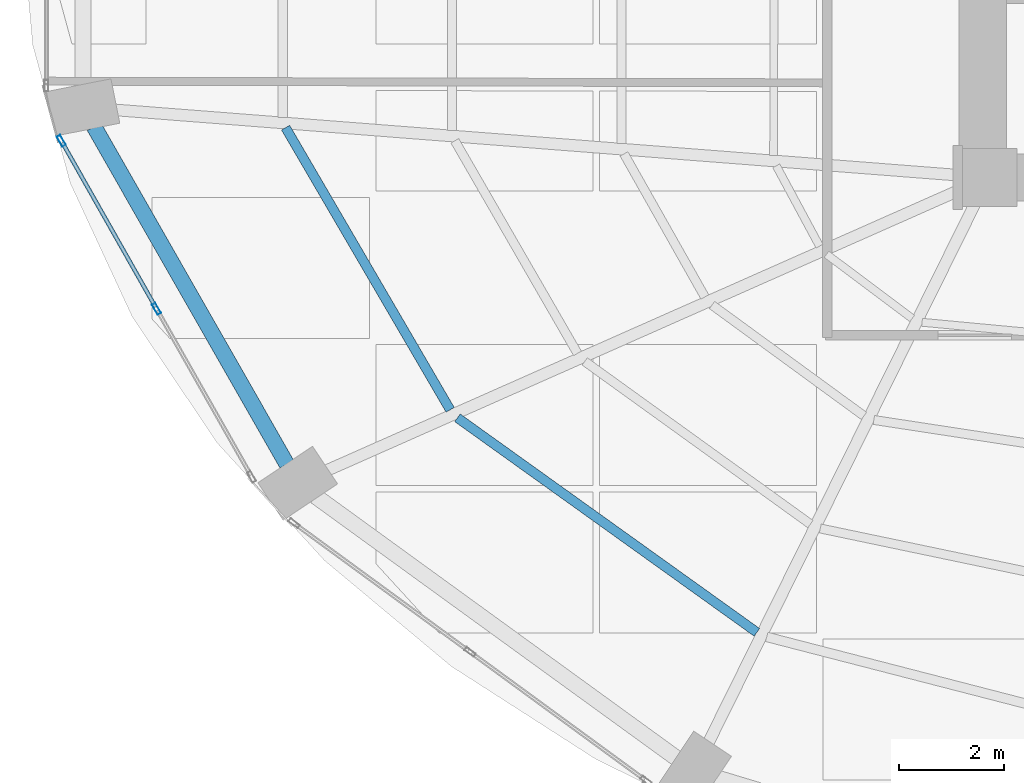
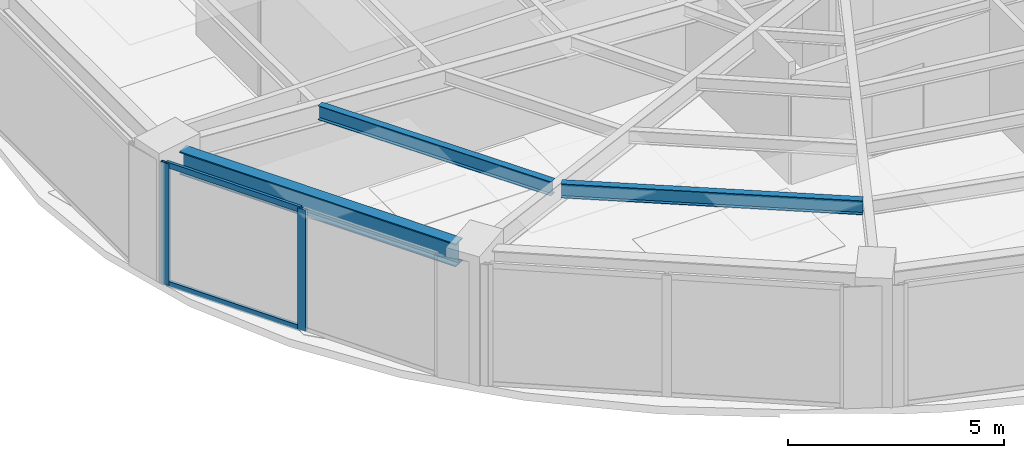
# One storey, part 3 of 24: 4 members, 3 beams, 1 element without a shape of its own.
"""IFC4 building model written with IfcOpenShell, lengths in metres."""

from ifc_helpers import new_model, si_unit, direction, frame, origin, origin_2d, place, context, subcontext, project, spatial, hollow_rectangle, i_section, extrude, material, layer, layer_set, material_profile, profile_set, type_object, element, aggregate, save


model = new_model("IFC4")

# Units and contexts
model_context = context("Model", 3, precision=1e-05, world=origin(), true_north=direction((0.0, 1.0)))
body_context = subcontext(model_context, "Body", "Model", "MODEL_VIEW")
ifc_project = project(units=[si_unit("LENGTHUNIT", "METRE"), si_unit("AREAUNIT", "SQUARE_METRE"), si_unit("VOLUMEUNIT", "CUBIC_METRE"), si_unit("PLANEANGLEUNIT", "RADIAN"), si_unit("MASSUNIT", "GRAM", prefix="KILO")], contexts=[model_context])

# Site, building, storey
site_placement = place(None, origin())
site = spatial("IfcSite", under=ifc_project, at=site_placement, CompositionType="ELEMENT")
building_placement = place(site_placement, origin())
building = spatial("IfcBuilding", under=site, at=building_placement, Name="Lazwardi Medical Tower", CompositionType="ELEMENT")
storey_placement = place(building_placement, frame((0.0, 0.0, 61.679931640625)))
storey = spatial("IfcBuildingStorey", under=building, at=storey_placement, Name="L15", CompositionType="ELEMENT", Elevation=61.679931640625)

# Beams
ifc_material_1 = material(Name="Steel S355", Category="steel")
ifc_material_profile_1 = material_profile(ifc_material_1, i_section(OverallWidth=0.300048828125, OverallDepth=0.64990234375, WebThickness=0.01611328125, FlangeThickness=0.031005859375, at=origin_2d()), Name="HEB 650")
ifc_profile_set_1 = profile_set([ifc_material_profile_1], Name="Steel S355")
beam_type_1 = type_object("IfcBeamType", Name="BM-RB-Z1", PredefinedType="BEAM", material=ifc_profile_set_1)
beam_1_placement = place(storey_placement, frame((9.408203125, 21.36767578125, 3.10302734375), z_axis=(0.49581512241, -0.868428099724, 0.0), x_axis=(0.868428099724, 0.49581512241, 0.0)))
element("IfcBeam", 1, at=beam_1_placement, inside=storey, type_object=beam_type_1, Name="Ring beam RB-02 B13 L15", PredefinedType="BEAM", context=body_context, shape_type="SweptSolid", body=[
    extrude(i_section(OverallWidth=0.300048828125, OverallDepth=0.64990234375, WebThickness=0.01611328125, FlangeThickness=0.031005859375, at=origin_2d()), origin(), (0.0, 0.0, 1.0), 7.389404296875),
])
ifc_material_profile_2 = material_profile(ifc_material_1, i_section(OverallWidth=0.179931640625, OverallDepth=0.39990234375, WebThickness=0.008544921875, FlangeThickness=0.013427734375, at=origin_2d()), Name="IPE 400")
ifc_profile_set_2 = profile_set([ifc_material_profile_2], Name="Steel S355")
beam_type_2 = type_object("IfcBeamType", Name="BM-SJ-01", PredefinedType="JOIST", material=ifc_profile_set_2)
beam_2_placement = place(storey_placement, frame((13.048828125, 21.34765625, 3.22802734375), z_axis=(0.503846579557, -0.863793160582, 0.0), x_axis=(0.863793160582, 0.503846579557, 0.0)))
element("IfcBeam", 2, at=beam_2_placement, inside=storey, type_object=beam_type_2, Name="Secondary joist SJ-01 R1 B13 L15", PredefinedType="JOIST", context=body_context, shape_type="SweptSolid", body=[
    extrude(i_section(OverallWidth=0.179931640625, OverallDepth=0.39990234375, WebThickness=0.008544921875, FlangeThickness=0.013427734375, at=origin_2d()), origin(), (0.0, 0.0, 1.0), 6.20947265625),
])
beam_3_placement = place(storey_placement, frame((16.31591796875, 15.83203125, 3.22802734375), z_axis=(0.812901036873, -0.582401840872, 0.0), x_axis=(0.582401840872, 0.812901036873, 0.0)))
element("IfcBeam", 3, at=beam_3_placement, inside=storey, type_object=beam_type_2, Name="Secondary joist SJ-01 R1 B14 L15", PredefinedType="JOIST", context=body_context, shape_type="SweptSolid", body=[
    extrude(i_section(OverallWidth=0.179931640625, OverallDepth=0.39990234375, WebThickness=0.008544921875, FlangeThickness=0.013427734375, at=origin_2d()), origin(), (0.0, 0.0, 1.0), 7.002197265625),
])

# Curtain wall, members
ifc_material_2 = material(Name="Anodised bronze aluminium and solar control glazing", Category="aluminium")
ifc_layer = layer(ifc_material_2, 0.199951171875)
ifc_layer_set = layer_set([ifc_layer], Name="Anodised bronze aluminium and solar control glazing")
curtain_wall_type = type_object("IfcCurtainWallType", Name="CW-SYS-02", PredefinedType="NOTDEFINED", material=ifc_layer_set)
curtain_wall_placement = place(storey_placement, origin())
curtain_wall = element("IfcCurtainWall", 4, at=curtain_wall_placement, inside=storey, type_object=curtain_wall_type, Name="L15 Unitised bronze curtain wall CW-02", PredefinedType="NOTDEFINED")
ifc_material_3 = material(Name="Anodised bronze aluminium", Category="aluminium")
ifc_material_profile_3 = material_profile(ifc_material_3, hollow_rectangle(XDim=0.074951171875, YDim=0.219970703125, WallThickness=0.00390625, at=origin_2d()), Name="ALU-MULLION 220x75x4")
ifc_profile_set_3 = profile_set([ifc_material_profile_3], Name="Anodised bronze aluminium")
member_type_1 = type_object("IfcMemberType", Name="CW-MUL-01", PredefinedType="MULLION", material=ifc_profile_set_3)
member_1_placement = place(storey_placement, frame((8.785888671875, 21.09765625, 0.0), z_axis=(0.0, 0.0, 1.0), x_axis=(0.870111838823, 0.492854327303, 0.0)))
member_1 = element("IfcMember", 5, at=member_1_placement, type_object=member_type_1, Name="CW-02 mullion 1", PredefinedType="MULLION", context=body_context, shape_type="SweptSolid", body=[
    extrude(hollow_rectangle(XDim=0.074951171875, YDim=0.219970703125, WallThickness=0.00390625, at=origin_2d()), origin(), (0.0, 0.0, 1.0), 3.427978515625),
])
member_2_placement = place(storey_placement, frame((10.5947265625, 17.904541015625, 0.0), z_axis=(0.0, 0.0, 1.0), x_axis=(0.870111838823, 0.492854327303, 0.0)))
member_2 = element("IfcMember", 6, at=member_2_placement, type_object=member_type_1, Name="CW-02 mullion 2", PredefinedType="MULLION", context=body_context, shape_type="SweptSolid", body=[
    extrude(hollow_rectangle(XDim=0.074951171875, YDim=0.219970703125, WallThickness=0.00390625, at=origin_2d()), origin(), (0.0, 0.0, 1.0), 3.427978515625),
])
ifc_material_profile_4 = material_profile(ifc_material_3, hollow_rectangle(XDim=0.074951171875, YDim=0.159912109375, WallThickness=0.00390625, at=origin_2d()), Name="ALU-TRANSOM 160x75x4")
ifc_profile_set_4 = profile_set([ifc_material_profile_4], Name="Anodised bronze aluminium")
member_type_2 = type_object("IfcMemberType", Name="CW-TRN-01", PredefinedType="USERDEFINED", material=ifc_profile_set_4)
member_3_placement = place(storey_placement, frame((8.804443359375, 21.06494140625, 0.03759765625), z_axis=(0.492880614687, -0.870096948429, 0.0), x_axis=(0.870096948429, 0.492880614687, 0.0)))
member_3 = element("IfcMember", 7, at=member_3_placement, type_object=member_type_2, Name="CW-02 transom 1.1", ObjectType="TRANSOM", PredefinedType="USERDEFINED", context=body_context, shape_type="SweptSolid", body=[
    extrude(hollow_rectangle(XDim=0.074951171875, YDim=0.159912109375, WallThickness=0.00390625, at=origin_2d()), origin(), (0.0, 0.0, 1.0), 3.5947265625),
])
member_4_placement = place(storey_placement, frame((8.804443359375, 21.06494140625, 3.390625), z_axis=(0.492880614687, -0.870096948429, 0.0), x_axis=(0.870096948429, 0.492880614687, 0.0)))
member_4 = element("IfcMember", 8, at=member_4_placement, type_object=member_type_2, Name="CW-02 transom 1.2", ObjectType="TRANSOM", PredefinedType="USERDEFINED", context=body_context, shape_type="SweptSolid", body=[
    extrude(hollow_rectangle(XDim=0.074951171875, YDim=0.159912109375, WallThickness=0.00390625, at=origin_2d()), origin(), (0.0, 0.0, 1.0), 3.5947265625),
])
aggregate(curtain_wall, [member_1, member_2, member_3, member_4])

save(model, "model.ifc")
